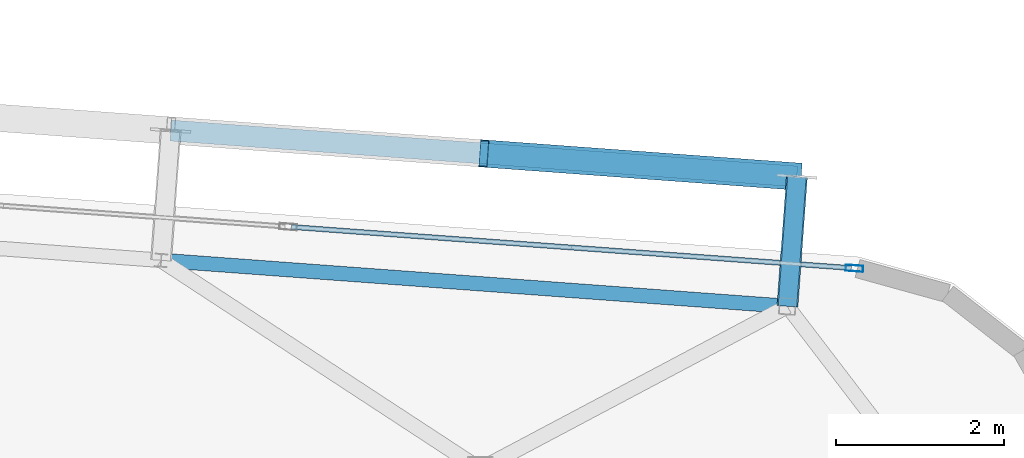
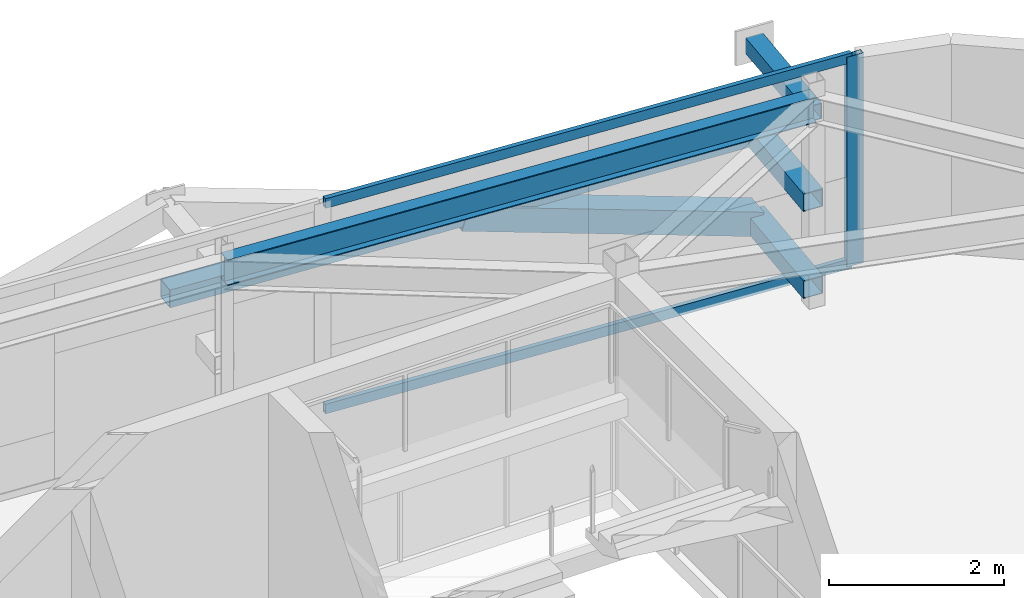
# One storey, part 26 of 39: 8 members, 1 beam, 1 element without a shape of its own.
"""IFC4 building model written with IfcOpenShell, lengths in metres."""

from ifc_helpers import new_model, si_unit, direction, frame, origin, origin_2d, place, context, subcontext, project, spatial, hollow_rectangle, i_section, extrude, source, transform, mapped, material, layer, layer_set, material_profile, profile_set, type_object, element, aggregate, save


model = new_model("IFC4")

# Units and contexts
model_context = context("Model", 3, precision=1e-05, world=origin(), true_north=direction((0.0, 1.0)))
body_context = subcontext(model_context, "Body", "Model", "MODEL_VIEW")
ifc_project = project(units=[si_unit("LENGTHUNIT", "METRE"), si_unit("AREAUNIT", "SQUARE_METRE"), si_unit("VOLUMEUNIT", "CUBIC_METRE"), si_unit("PLANEANGLEUNIT", "RADIAN"), si_unit("MASSUNIT", "GRAM", prefix="KILO")], contexts=[model_context])

# Site, building, storey
site_placement = place(None, origin())
site = spatial("IfcSite", under=ifc_project, at=site_placement, CompositionType="ELEMENT")
building_placement = place(site_placement, origin())
building = spatial("IfcBuilding", under=site, at=building_placement, Name="Taldren Reach Tower", CompositionType="ELEMENT")
storey_placement = place(building_placement, frame((0.0, 0.0, 230.300048828125)))
storey = spatial("IfcBuildingStorey", under=building, at=storey_placement, Name="L70", CompositionType="ELEMENT", Elevation=230.300048828125)

# Members
ifc_material_1 = material(Name="Steel Gr 350 (C350L0)", Category="steel")
ifc_material_profile_1 = material_profile(ifc_material_1, hollow_rectangle(XDim=0.25, YDim=0.25, WallThickness=0.010009765625, at=origin_2d()), Name="250x250x10.0SHS")
ifc_profile_set_1 = profile_set([ifc_material_profile_1], Name="Steel Gr 350 (C350L0)")
member_type_1 = type_object("IfcMemberType", Name="MB-POST250", PredefinedType="POST", material=ifc_profile_set_1)
shared_shape_1 = source(origin(), body_context, "Body", "SweptSolid", [
    extrude(hollow_rectangle(XDim=0.25, YDim=0.25, WallThickness=0.010009765625, at=origin_2d()), origin(), (0.0, 0.0, 1.0), 1.550048828125),
])
for number, where, z_axis, x_axis, name in (
    (1, (54.659423828125, 33.939697265625, 0.219970703125), (0.07323929162, 0.997314396849, 0.0), (-0.997314396849, 0.07323929162, 0.0), "Exoskeleton base diaphragm tie strut B5-N6 L70"),
    (2, (54.659423828125, 33.939697265625, 1.43505859375), (0.07323929162, 0.997314396849, 0.0), (-0.997314396849, 0.07323929162, 0.0), "Exoskeleton mid-tier diaphragm tie B5-N6 L70"),
):
    element("IfcMember", number, at=place(storey_placement, frame(where, z_axis=z_axis, x_axis=x_axis)), inside=storey, type_object=member_type_1, Name=name, PredefinedType="POST", context=body_context, shape_type="MappedRepresentation", body=[
        mapped(shared_shape_1, transform((0.0, 0.0, 0.0), scale=1.0)),
    ])
ifc_material_2 = material(Name="Steel Gr 450 (C450L0)", Category="steel")
ifc_material_profile_2 = material_profile(ifc_material_2, hollow_rectangle(XDim=0.219970703125, YDim=0.219970703125, WallThickness=0.00830078125, at=origin_2d()), Name="220x220x8.2SHS")
ifc_profile_set_2 = profile_set([ifc_material_profile_2], Name="Steel Gr 450 (C450L0)")
member_type_2 = type_object("IfcMemberType", Name="MB-TIE219", PredefinedType="STRUT", material=ifc_profile_set_2)
shared_shape_2 = source(origin(), body_context, "Body", "SweptSolid", [
    extrude(hollow_rectangle(XDim=0.219970703125, YDim=0.219970703125, WallThickness=0.00830078125, at=origin_2d()), origin(), (0.0, 0.0, 1.0), 1.550048828125),
])
member_1_placement = place(storey_placement, frame((54.659423828125, 33.939697265625, 2.64990234375), z_axis=(0.07323929162, 0.997314396849, 0.0), x_axis=(-0.997314396849, 0.07323929162, 0.0)))
element("IfcMember", 3, at=member_1_placement, inside=storey, type_object=member_type_2, Name="Exoskeleton diaphragm tie strut B5-N6 L70", PredefinedType="STRUT", context=body_context, shape_type="MappedRepresentation", body=[
    mapped(shared_shape_2, transform((0.0, 0.0, 0.0), scale=1.0)),
])

# Beam
ifc_material_3 = material(Name="Steel Gr 350 (350PLUS)", Category="steel")
ifc_material_profile_3 = material_profile(ifc_material_3, i_section(OverallWidth=0.172119140625, OverallDepth=0.35888671875, WebThickness=0.008056640625, FlangeThickness=0.012939453125, at=origin_2d()), Name="360UB56.7")
ifc_profile_set_3 = profile_set([ifc_material_profile_3], Name="Steel Gr 350 (350PLUS)")
beam_type = type_object("IfcBeamType", Name="SP-UB360", PredefinedType="SPANDREL", material=ifc_profile_set_3)
shared_shape_3 = source(origin(), body_context, "Body", "SweptSolid", [
    extrude(i_section(OverallWidth=0.172119140625, OverallDepth=0.35888671875, WebThickness=0.008056640625, FlangeThickness=0.012939453125, at=origin_2d()), origin(), (0.0, 0.0, 1.0), 7.47998046875),
])
beam_placement = place(storey_placement, frame((54.659423828125, 33.939697265625, 2.75048828125), z_axis=(-0.997314220642, 0.07324169103, 0.0), x_axis=(-0.07324169103, -0.997314220642, 0.0)))
element("IfcBeam", 4, at=beam_placement, inside=storey, type_object=beam_type, Name="Perimeter spandrel B5 N6-N5 L70", PredefinedType="SPANDREL", context=body_context, shape_type="MappedRepresentation", body=[
    mapped(shared_shape_3, transform((0.0, 0.0, 0.0), scale=1.0)),
])

# Members
ifc_material_profile_4 = material_profile(ifc_material_2, hollow_rectangle(XDim=0.324951171875, YDim=0.324951171875, WallThickness=0.0126953125, at=origin_2d()), Name="325x325x12.7SHS")
ifc_profile_set_4 = profile_set([ifc_material_profile_4], Name="Steel Gr 450 (C450L0)")
member_type_3 = type_object("IfcMemberType", Name="MB-BR324", PredefinedType="BRACE", material=ifc_profile_set_4)
shared_shape_4 = source(origin(), body_context, "Body", "SweptSolid", [
    extrude(hollow_rectangle(XDim=0.324951171875, YDim=0.324951171875, WallThickness=0.0126953125, at=origin_2d()), origin(), (0.0, 0.0, 1.0), 3.932373046875),
])
member_2_placement = place(storey_placement, frame((54.77294921875, 35.485595703125, 0.219970703125), z_axis=(-0.948511132845, 0.069657644394, 0.308989390507), x_axis=(-0.07324169103, -0.997314220642, 0.0)))
element("IfcMember", 5, at=member_2_placement, inside=storey, type_object=member_type_3, Name="Exoskeleton Diagrid Brace B5-N4 L70", PredefinedType="BRACE", context=body_context, shape_type="MappedRepresentation", body=[
    mapped(shared_shape_4, transform((0.0, 0.0, 0.0), scale=1.0)),
])
shared_shape_5 = source(origin(), body_context, "Body", "SweptSolid", [
    extrude(hollow_rectangle(XDim=0.25, YDim=0.25, WallThickness=0.010009765625, at=origin_2d()), origin(), (0.0, 0.0, 1.0), 7.47998046875),
])
member_3_placement = place(storey_placement, frame((47.31298828125, 36.033447265625, 1.43505859375), z_axis=(0.997314220642, -0.07324169103, 0.0), x_axis=(0.07324169103, 0.997314220642, 0.0)))
element("IfcMember", 6, at=member_3_placement, inside=storey, type_object=member_type_1, Name="Exoskeleton mid-height ring chord B5-N4 L70", PredefinedType="POST", context=body_context, shape_type="MappedRepresentation", body=[
    mapped(shared_shape_5, transform((0.0, 0.0, 0.0), scale=1.0)),
])

# Curtain wall, members
ifc_material_4 = material(Name="Aluminium and Low-E Glass Unitised System", Category="aluminium")
ifc_layer = layer(ifc_material_4, 0.159912109375)
ifc_layer_set = layer_set([ifc_layer], Name="Aluminium and Low-E Glass Unitised System")
curtain_wall_type = type_object("IfcCurtainWallType", Name="CW-SYS-7", PredefinedType="NOTDEFINED", material=ifc_layer_set)
curtain_wall_placement = place(storey_placement, origin())
curtain_wall = element("IfcCurtainWall", 7, at=curtain_wall_placement, inside=storey, type_object=curtain_wall_type, Name="Unitised curtain wall CW-L70-NEWING", PredefinedType="NOTDEFINED")
ifc_material_5 = material(Name="Anodised Aluminium 6063-T6", Category="aluminium")
ifc_material_profile_5 = material_profile(ifc_material_5, hollow_rectangle(XDim=0.074951171875, YDim=0.2099609375, WallThickness=0.00439453125, at=origin_2d()), Name="ALU-210x75x4.5RHS")
ifc_profile_set_5 = profile_set([ifc_material_profile_5], Name="Anodised Aluminium 6063-T6")
member_type_4 = type_object("IfcMemberType", Name="CW-MUL-200", PredefinedType="MULLION", material=ifc_profile_set_5)
shared_shape_6 = source(origin(), body_context, "Body", "SweptSolid", [
    extrude(hollow_rectangle(XDim=0.074951171875, YDim=0.2099609375, WallThickness=0.00439453125, at=origin_2d()), origin(), (0.0, 0.0, 1.0), 2.929931640625),
])
member_4_placement = place(storey_placement, frame((55.45703125, 34.392578125, 0.0), z_axis=(0.0, 0.0, 1.0), x_axis=(-0.073238215265, -0.997314475893, 0.0)))
member_4 = element("IfcMember", 8, at=member_4_placement, type_object=member_type_4, Name="CW-7 mullion 1", PredefinedType="MULLION", context=body_context, shape_type="MappedRepresentation", body=[
    mapped(shared_shape_6, transform((0.0, 0.0, 0.0), scale=1.0)),
])
ifc_material_profile_6 = material_profile(ifc_material_5, hollow_rectangle(XDim=0.06005859375, YDim=0.135009765625, WallThickness=0.00341796875, at=origin_2d()), Name="ALU-135x60x3.5RHS")
ifc_profile_set_6 = profile_set([ifc_material_profile_6], Name="Anodised Aluminium 6063-T6")
member_type_5 = type_object("IfcMemberType", Name="CW-TRN-150", PredefinedType="USERDEFINED", material=ifc_profile_set_6)
shared_shape_7 = source(origin(), body_context, "Body", "SweptSolid", [
    extrude(hollow_rectangle(XDim=0.06005859375, YDim=0.135009765625, WallThickness=0.00341796875, at=origin_2d()), origin(), (0.0, 0.0, 1.0), 6.687255859375),
])
member_5_placement = place(storey_placement, frame((55.419677734375, 34.395263671875, 0.030029296875), z_axis=(-0.997314570781, 0.073236923124, 0.0), x_axis=(-0.073236923124, -0.997314570781, 0.0)))
member_5 = element("IfcMember", 9, at=member_5_placement, type_object=member_type_5, Name="CW-7 transom 1.1", ObjectType="TRANSOM", PredefinedType="USERDEFINED", context=body_context, shape_type="MappedRepresentation", body=[
    mapped(shared_shape_7, transform((0.0, 0.0, 0.0), scale=1.0)),
])
member_6_placement = place(storey_placement, frame((55.419677734375, 34.395263671875, 2.89990234375), z_axis=(-0.997314570781, 0.073236923124, 0.0), x_axis=(-0.073236923124, -0.997314570781, 0.0)))
member_6 = element("IfcMember", 10, at=member_6_placement, type_object=member_type_5, Name="CW-7 transom 1.2", ObjectType="TRANSOM", PredefinedType="USERDEFINED", context=body_context, shape_type="MappedRepresentation", body=[
    mapped(shared_shape_7, transform((0.0, 0.0, 0.0), scale=1.0)),
])
aggregate(curtain_wall, [member_4, member_5, member_6])

save(model, "model.ifc")
